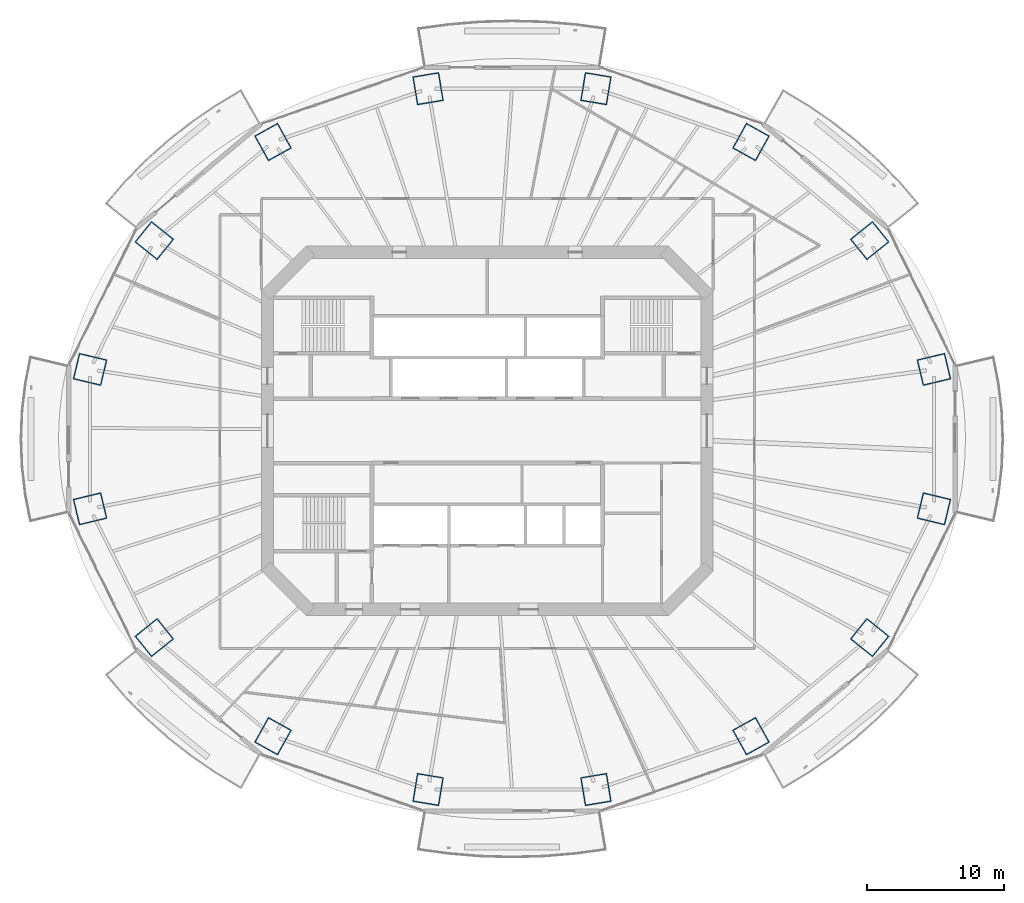
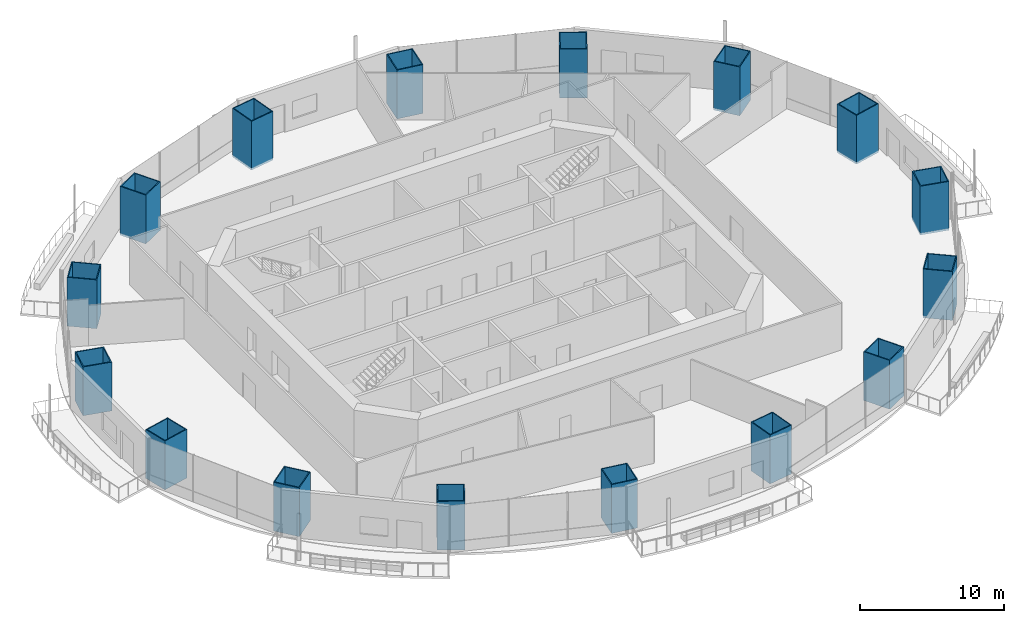
# One storey, part 1 of 21: 16 columns.
"""IFC4 building model written with IfcOpenShell, lengths in metres."""

from ifc_helpers import new_model, si_unit, direction, frame, origin, origin_2d, place, context, subcontext, project, spatial, rectangle, hollow_rectangle, extrude, material, material_profile, profile_set, type_object, element, save


model = new_model("IFC4")

# Units and contexts
model_context = context("Model", 3, precision=1e-05, world=origin(), true_north=direction((0.0, 1.0)))
body_context = subcontext(model_context, "Body", "Model", "MODEL_VIEW")
ifc_project = project(units=[si_unit("LENGTHUNIT", "METRE"), si_unit("AREAUNIT", "SQUARE_METRE"), si_unit("VOLUMEUNIT", "CUBIC_METRE"), si_unit("PLANEANGLEUNIT", "RADIAN"), si_unit("MASSUNIT", "GRAM", prefix="KILO")], contexts=[model_context])

# Site, building, storey
site_placement = place(None, origin())
site = spatial("IfcSite", under=ifc_project, at=site_placement, CompositionType="ELEMENT")
building_placement = place(site_placement, origin())
building = spatial("IfcBuilding", under=site, at=building_placement, Name="Marenthal Gate Tower", CompositionType="ELEMENT")
storey_placement = place(building_placement, frame((0.0, 0.0, 161.050048828125)))
storey = spatial("IfcBuildingStorey", under=building, at=storey_placement, Name="L34", CompositionType="ELEMENT", Elevation=161.050048828125)

# Columns
ifc_material_1 = material(Name="Steel S460", Category="steel")
ifc_material_profile_1 = material_profile(ifc_material_1, hollow_rectangle(XDim=1.949951171875, YDim=2.10009765625, WallThickness=0.074951171875, at=origin_2d()), Name="CFT BOX 2100X1950X75")
ifc_material_2 = material(Name="Concrete 70 MPa", Category="concrete")
ifc_material_profile_2 = material_profile(ifc_material_2, rectangle(XDim=1.800048828125, YDim=1.949951171875, at=origin_2d()), Name="CFT BOX 2100X1950X75 INFILL")
ifc_profile_set = profile_set([ifc_material_profile_1, ifc_material_profile_2], Name="Steel S460 shell, Concrete 70 MPa infill")
column_type = type_object("IfcColumnType", Name="CFT BOX 2100X1950X75", PredefinedType="COLUMN", material=ifc_profile_set)
for number, where, z_axis, x_axis, name in (
    (1, (32.51708984375, 4.474609375, -0.179931640625), (0.0, 0.0, 1.0), (0.232909042988, -0.972498523235, 0.0), "COL-L34-01"),
    (2, (27.8408203125, 13.8515625, -0.179931640625), (0.0, 0.0, 1.0), (0.62683093837, -0.779155295626, 0.0), "COL-L34-02"),
    (3, (19.199951171875, 21.0283203125, -0.179931640625), (0.0, 0.0, 1.0), (0.874380139328, -0.485241560409, 0.0), "COL-L34-03"),
    (4, (7.909912109375, 24.912109375, -0.179931640625), (0.0, 0.0, 1.0), (0.986626552786, -0.162997071561, 0.0), "COL-L34-04"),
    (5, (-4.31005859375, 24.912109375, -0.179931640625), (0.0, 0.0, 1.0), (0.986626552786, 0.162997071561, 0.0), "COL-L34-05"),
    (6, (-15.599853515625, 21.0283203125, -0.179931640625), (0.0, 0.0, 1.0), (0.874380139328, 0.485241560409, 0.0), "COL-L34-06"),
    (7, (-24.24072265625, 13.8515625, -0.179931640625), (0.0, 0.0, 1.0), (0.62683093837, 0.779155295626, 0.0), "COL-L34-07"),
    (8, (-28.917236328125, 4.474609375, -0.179931640625), (0.0, 0.0, 1.0), (0.232909042988, 0.972498523235, 0.0), "COL-L34-08"),
    (9, (-28.917236328125, -5.6748046875, -0.179931640625), (0.0, 0.0, 1.0), (-0.232909042988, 0.972498523235, 0.0), "COL-L34-09"),
    (10, (-24.24072265625, -15.051513671875, -0.179931640625), (0.0, 0.0, 1.0), (-0.62683093837, 0.779155295626, 0.0), "COL-L34-10"),
    (11, (-15.599853515625, -22.228271484375, -0.179931640625), (0.0, 0.0, 1.0), (-0.874380139328, 0.485241560409, 0.0), "COL-L34-11"),
    (12, (-4.31005859375, -26.1123046875, -0.179931640625), (0.0, 0.0, 1.0), (-0.986626552786, 0.162997071561, 0.0), "COL-L34-12"),
    (13, (7.909912109375, -26.1123046875, -0.179931640625), (0.0, 0.0, 1.0), (-0.986626552786, -0.162997071561, 0.0), "COL-L34-13"),
    (14, (19.199951171875, -22.228271484375, -0.179931640625), (0.0, 0.0, 1.0), (-0.874380139328, -0.485241560409, 0.0), "COL-L34-14"),
    (15, (27.8408203125, -15.051513671875, -0.179931640625), (0.0, 0.0, 1.0), (-0.62683093837, -0.779155295626, 0.0), "COL-L34-15"),
    (16, (32.51708984375, -5.6748046875, -0.179931640625), (0.0, 0.0, 1.0), (-0.232909042988, -0.972498523235, 0.0), "COL-L34-16"),
):
    element("IfcColumn", number, at=place(storey_placement, frame(where, z_axis=z_axis, x_axis=x_axis)), inside=storey, type_object=column_type, Name=name, PredefinedType="COLUMN", context=body_context, shape_type="SweptSolid", body=[
        extrude(hollow_rectangle(XDim=1.949951171875, YDim=2.10009765625, WallThickness=0.074951171875, at=origin_2d()), origin(), (0.0, 0.0, 1.0), 4.14990234375),
    ])

save(model, "model.ifc")
